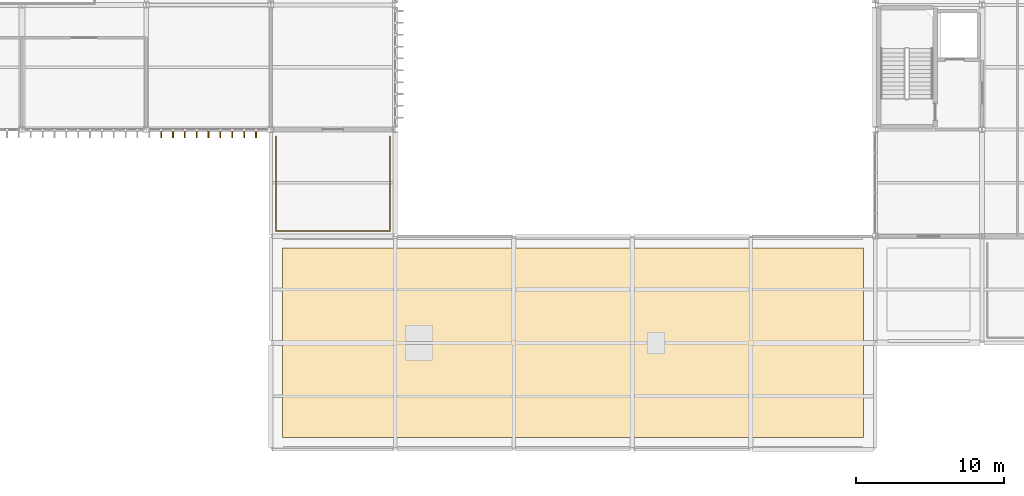
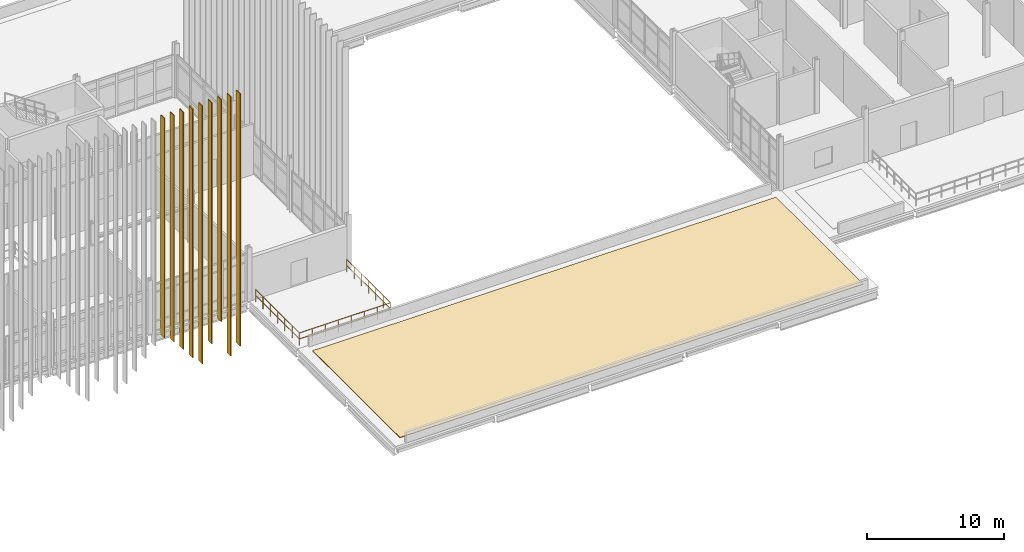
# One storey, part 141 of 153: 10 coverings, 1 railing.
"""IFC4 building model written with IfcOpenShell, lengths in metres."""

from ifc_helpers import new_model, si_unit, direction, frame, origin, origin_2d, place, context, subcontext, project, spatial, polyline, rectangle, circle, outline, extrude, material, layer, layer_set, type_object, element, save


model = new_model("IFC4")

# Units and contexts
model_context = context("Model", 3, precision=1e-05, world=origin(), true_north=direction((0.0, 1.0)))
body_context = subcontext(model_context, "Body", "Model", "MODEL_VIEW")
ifc_project = project(units=[si_unit("LENGTHUNIT", "METRE"), si_unit("AREAUNIT", "SQUARE_METRE"), si_unit("VOLUMEUNIT", "CUBIC_METRE"), si_unit("PLANEANGLEUNIT", "RADIAN"), si_unit("MASSUNIT", "GRAM", prefix="KILO")], contexts=[model_context])

# Site, building, storey
site_placement = place(None, origin())
site = spatial("IfcSite", under=ifc_project, at=site_placement, CompositionType="ELEMENT")
building_placement = place(site_placement, origin())
building = spatial("IfcBuilding", under=site, at=building_placement, Name="Calvrana Isthmian Art Gallery", CompositionType="ELEMENT")
storey_placement = place(building_placement, frame((0.0, 0.0, 10.199951171875)))
storey = spatial("IfcBuildingStorey", under=building, at=storey_placement, Name="L02", CompositionType="ELEMENT", Elevation=10.199951171875)

# Coverings
ifc_material_1 = material(Name="Anodized bronze aluminium 6063-T6", Category="aluminium")
ifc_layer_1 = layer(ifc_material_1, 0.074951171875, Name="Anodized bronze aluminium 6063-T6")
ifc_layer_set_1 = layer_set([ifc_layer_1], Name="Anodized bronze aluminium 6063-T6")
covering_type_1 = type_object("IfcCoveringType", Name="COV-FIN-550", PredefinedType="CLADDING", material=ifc_layer_set_1)
covering_1_placement = place(storey_placement, frame((64.60009765625, 21.326904296875, -0.449951171875), z_axis=(0.0, 0.0, 1.0), x_axis=(1.0, 0.0, 0.0)))
element("IfcCovering", 1, at=covering_1_placement, inside=storey, type_object=covering_type_1, Name="Anodized bronze vertical solar fin FN-054", PredefinedType="CLADDING", context=body_context, shape_type="SweptSolid", body=[
    extrude(rectangle(XDim=0.074951171875, YDim=0.550048828125, at=origin_2d()), origin(), (0.0, 0.0, 1.0), 19.60009765625),
])
covering_2_placement = place(storey_placement, frame((65.39990234375, 21.326904296875, -1.099853515625), z_axis=(0.0, 0.0, 1.0), x_axis=(1.0, 0.0, 0.0)))
element("IfcCovering", 2, at=covering_2_placement, inside=storey, type_object=covering_type_1, Name="Anodized bronze vertical solar fin FN-055", PredefinedType="CLADDING", context=body_context, shape_type="SweptSolid", body=[
    extrude(rectangle(XDim=0.074951171875, YDim=0.550048828125, at=origin_2d()), origin(), (0.0, 0.0, 1.0), 20.25),
])
covering_3_placement = place(storey_placement, frame((66.199951171875, 21.326904296875, -2.0498046875), z_axis=(0.0, 0.0, 1.0), x_axis=(1.0, 0.0, 0.0)))
element("IfcCovering", 3, at=covering_3_placement, inside=storey, type_object=covering_type_1, Name="Anodized bronze vertical solar fin FN-056", PredefinedType="CLADDING", context=body_context, shape_type="SweptSolid", body=[
    extrude(rectangle(XDim=0.074951171875, YDim=0.550048828125, at=origin_2d()), origin(), (0.0, 0.0, 1.0), 21.199951171875),
])
covering_4_placement = place(storey_placement, frame((67.0, 21.326904296875, -3.099853515625), z_axis=(0.0, 0.0, 1.0), x_axis=(1.0, 0.0, 0.0)))
element("IfcCovering", 4, at=covering_4_placement, inside=storey, type_object=covering_type_1, Name="Anodized bronze vertical solar fin FN-057", PredefinedType="CLADDING", context=body_context, shape_type="SweptSolid", body=[
    extrude(rectangle(XDim=0.074951171875, YDim=0.550048828125, at=origin_2d()), origin(), (0.0, 0.0, 1.0), 22.25),
])
covering_5_placement = place(storey_placement, frame((67.800048828125, 21.326904296875, -3.89990234375), z_axis=(0.0, 0.0, 1.0), x_axis=(1.0, 0.0, 0.0)))
element("IfcCovering", 5, at=covering_5_placement, inside=storey, type_object=covering_type_1, Name="Anodized bronze vertical solar fin FN-058", PredefinedType="CLADDING", context=body_context, shape_type="SweptSolid", body=[
    extrude(rectangle(XDim=0.074951171875, YDim=0.550048828125, at=origin_2d()), origin(), (0.0, 0.0, 1.0), 23.050048828125),
])
covering_6_placement = place(storey_placement, frame((68.60009765625, 21.326904296875, -2.39990234375), z_axis=(0.0, 0.0, 1.0), x_axis=(1.0, 0.0, 0.0)))
element("IfcCovering", 6, at=covering_6_placement, inside=storey, type_object=covering_type_1, Name="Anodized bronze vertical solar fin FN-059", PredefinedType="CLADDING", context=body_context, shape_type="SweptSolid", body=[
    extrude(rectangle(XDim=0.074951171875, YDim=0.550048828125, at=origin_2d()), origin(), (0.0, 0.0, 1.0), 21.550048828125),
])
covering_7_placement = place(storey_placement, frame((69.39990234375, 21.326904296875, -0.699951171875), z_axis=(0.0, 0.0, 1.0), x_axis=(1.0, 0.0, 0.0)))
element("IfcCovering", 7, at=covering_7_placement, inside=storey, type_object=covering_type_1, Name="Anodized bronze vertical solar fin FN-060", PredefinedType="CLADDING", context=body_context, shape_type="SweptSolid", body=[
    extrude(rectangle(XDim=0.074951171875, YDim=0.550048828125, at=origin_2d()), origin(), (0.0, 0.0, 1.0), 19.85009765625),
])
covering_8_placement = place(storey_placement, frame((70.199951171875, 21.326904296875, -4.0498046875), z_axis=(0.0, 0.0, 1.0), x_axis=(1.0, 0.0, 0.0)))
element("IfcCovering", 8, at=covering_8_placement, inside=storey, type_object=covering_type_1, Name="Anodized bronze vertical solar fin FN-061", PredefinedType="CLADDING", context=body_context, shape_type="SweptSolid", body=[
    extrude(rectangle(XDim=0.074951171875, YDim=0.550048828125, at=origin_2d()), origin(), (0.0, 0.0, 1.0), 23.199951171875),
])
covering_9_placement = place(storey_placement, frame((71.0, 21.326904296875, -3.449951171875), z_axis=(0.0, 0.0, 1.0), x_axis=(1.0, 0.0, 0.0)))
element("IfcCovering", 9, at=covering_9_placement, inside=storey, type_object=covering_type_1, Name="Anodized bronze vertical solar fin FN-062", PredefinedType="CLADDING", context=body_context, shape_type="SweptSolid", body=[
    extrude(rectangle(XDim=0.074951171875, YDim=0.550048828125, at=origin_2d()), origin(), (0.0, 0.0, 1.0), 22.60009765625),
])
ifc_material_2 = material(Name="Standing-seam zinc-aluminium roofing", Category="aluminium")
ifc_layer_2 = layer(ifc_material_2, 0.050048828125, Name="Standing-seam zinc-aluminium roofing")
ifc_layer_set_2 = layer_set([ifc_layer_2], Name="Standing-seam zinc-aluminium roofing")
covering_type_2 = type_object("IfcCoveringType", Name="COV-ROOF-ZINC", PredefinedType="ROOFING", material=ifc_layer_set_2)
covering_10_placement = place(storey_placement, origin())
element("IfcCovering", 10, at=covering_10_placement, inside=storey, type_object=covering_type_2, Name="Insulated roof membrane ROOF_V2B_L02", PredefinedType="ROOFING", context=body_context, shape_type="SweptSolid", body=[
    extrude(outline(polyline([(72.800048828125, 0.800048828125), (112.0, 0.800048828125), (112.0, 13.60009765625), (72.800048828125, 13.60009765625), (72.800048828125, 0.800048828125)])), origin(), (0.0, 0.0, 1.0), 0.050048828125),
])

# Railing
railing_type = type_object("IfcRailingType", Name="RL-BAL-1120", PredefinedType="BALUSTRADE", material=ifc_material_1)
railing_placement = place(storey_placement, frame((72.35009765625, 21.14990234375, 0.0)))
element("IfcRailing", 11, at=railing_placement, inside=storey, type_object=railing_type, Name="Terrace balustrade GR-T03", PredefinedType="BALUSTRADE", context=body_context, shape_type="SweptSolid", body=[
    extrude(circle(Radius=0.02392578125, at=origin_2d()), frame((0.0, 0.0, 1.09619140625), z_axis=(0.0, -1.0, 0.0), x_axis=(1.0, 0.0, 0.0)), (0.0, 0.0, 1.0), 6.39990234375),
    extrude(circle(Radius=0.02392578125, at=origin_2d()), frame((0.0, 0.0, 0.56005859375), z_axis=(0.0, -1.0, 0.0), x_axis=(1.0, 0.0, 0.0)), (0.0, 0.0, 1.0), 6.39990234375),
    extrude(circle(Radius=0.02392578125, at=origin_2d()), frame((0.0, -6.39990234375, 1.09619140625), z_axis=(1.0, 0.0, 0.0), x_axis=(0.0, 1.0, 0.0)), (0.0, 0.0, 1.0), 7.699951171875),
    extrude(circle(Radius=0.02392578125, at=origin_2d()), frame((0.0, -6.39990234375, 0.56005859375), z_axis=(1.0, 0.0, 0.0), x_axis=(0.0, 1.0, 0.0)), (0.0, 0.0, 1.0), 7.699951171875),
    extrude(circle(Radius=0.02392578125, at=origin_2d()), frame((7.699951171875, -6.39990234375, 1.09619140625), z_axis=(0.0, 1.0, 0.0), x_axis=(-1.0, 0.0, 0.0)), (0.0, 0.0, 1.0), 6.39990234375),
    extrude(circle(Radius=0.02392578125, at=origin_2d()), frame((7.699951171875, -6.39990234375, 0.56005859375), z_axis=(0.0, 1.0, 0.0), x_axis=(-1.0, 0.0, 0.0)), (0.0, 0.0, 1.0), 6.39990234375),
    extrude(circle(Radius=0.02099609375, at=origin_2d()), origin(), (0.0, 0.0, 1.0), 1.072021484375),
    extrude(circle(Radius=0.02099609375, at=origin_2d()), frame((0.0, -1.066650390625, 0.0)), (0.0, 0.0, 1.0), 1.072021484375),
    extrude(circle(Radius=0.02099609375, at=origin_2d()), frame((0.0, -2.13330078125, 0.0)), (0.0, 0.0, 1.0), 1.072021484375),
    extrude(circle(Radius=0.02099609375, at=origin_2d()), frame((0.0, -3.199951171875, 0.0)), (0.0, 0.0, 1.0), 1.072021484375),
    extrude(circle(Radius=0.02099609375, at=origin_2d()), frame((0.0, -4.2666015625, 0.0)), (0.0, 0.0, 1.0), 1.072021484375),
    extrude(circle(Radius=0.02099609375, at=origin_2d()), frame((0.0, -5.333251953125, 0.0)), (0.0, 0.0, 1.0), 1.072021484375),
    extrude(circle(Radius=0.02099609375, at=origin_2d()), frame((0.0, -6.39990234375, 0.0)), (0.0, 0.0, 1.0), 1.072021484375),
    extrude(circle(Radius=0.02099609375, at=origin_2d()), frame((1.10009765625, -6.39990234375, 0.0)), (0.0, 0.0, 1.0), 1.072021484375),
    extrude(circle(Radius=0.02099609375, at=origin_2d()), frame((2.199951171875, -6.39990234375, 0.0)), (0.0, 0.0, 1.0), 1.072021484375),
    extrude(circle(Radius=0.02099609375, at=origin_2d()), frame((3.300048828125, -6.39990234375, 0.0)), (0.0, 0.0, 1.0), 1.072021484375),
    extrude(circle(Radius=0.02099609375, at=origin_2d()), frame((4.39990234375, -6.39990234375, 0.0)), (0.0, 0.0, 1.0), 1.072021484375),
    extrude(circle(Radius=0.02099609375, at=origin_2d()), frame((5.5, -6.39990234375, 0.0)), (0.0, 0.0, 1.0), 1.072021484375),
    extrude(circle(Radius=0.02099609375, at=origin_2d()), frame((6.599853515625, -6.39990234375, 0.0)), (0.0, 0.0, 1.0), 1.072021484375),
    extrude(circle(Radius=0.02099609375, at=origin_2d()), frame((7.699951171875, -6.39990234375, 0.0)), (0.0, 0.0, 1.0), 1.072021484375),
    extrude(circle(Radius=0.02099609375, at=origin_2d()), frame((7.699951171875, -5.333251953125, 0.0)), (0.0, 0.0, 1.0), 1.072021484375),
    extrude(circle(Radius=0.02099609375, at=origin_2d()), frame((7.699951171875, -4.2666015625, 0.0)), (0.0, 0.0, 1.0), 1.072021484375),
    extrude(circle(Radius=0.02099609375, at=origin_2d()), frame((7.699951171875, -3.199951171875, 0.0)), (0.0, 0.0, 1.0), 1.072021484375),
    extrude(circle(Radius=0.02099609375, at=origin_2d()), frame((7.699951171875, -2.13330078125, 0.0)), (0.0, 0.0, 1.0), 1.072021484375),
    extrude(circle(Radius=0.02099609375, at=origin_2d()), frame((7.699951171875, -1.066650390625, 0.0)), (0.0, 0.0, 1.0), 1.072021484375),
    extrude(circle(Radius=0.02099609375, at=origin_2d()), frame((7.699951171875, 0.0, 0.0)), (0.0, 0.0, 1.0), 1.072021484375),
])

save(model, "model.ifc")
